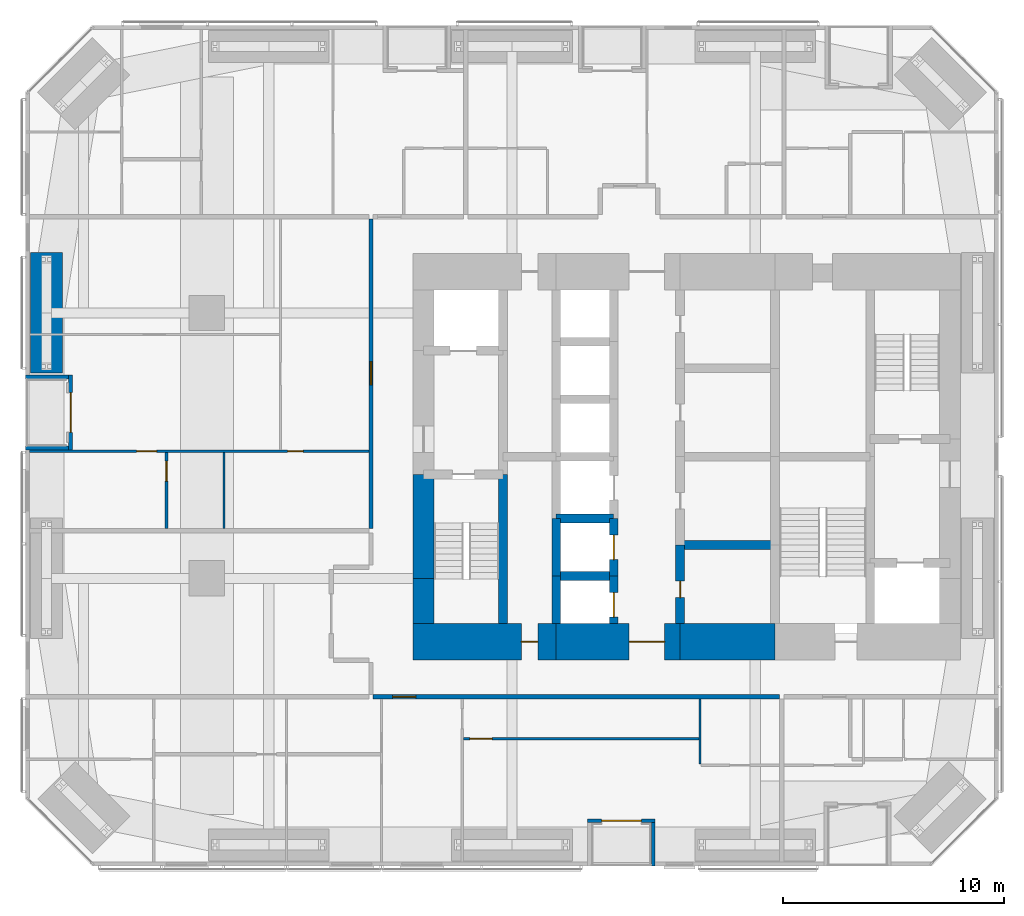
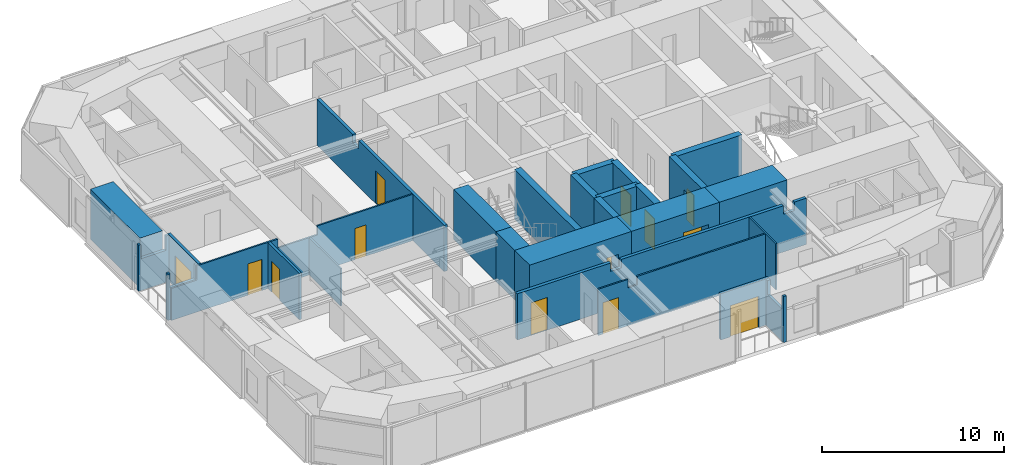
# One storey, part 18 of 24: 27 walls, 13 doors, 13 openings.
"""IFC4 building model written with IfcOpenShell, lengths in metres."""

from ifc_helpers import new_model, si_unit, direction, frame, frame_2d, origin, place, context, subcontext, project, spatial, polyline, rectangle, outline, extrude, material, layer, layer_set, constituent, constituent_set, type_object, element, fill, save


model = new_model("IFC4")

# Units and contexts
model_context = context("Model", 3, precision=1e-05, world=origin(), true_north=direction((0.0, 1.0)))
body_context = subcontext(model_context, "Body", "Model", "MODEL_VIEW")
ifc_project = project(units=[si_unit("LENGTHUNIT", "METRE"), si_unit("AREAUNIT", "SQUARE_METRE"), si_unit("VOLUMEUNIT", "CUBIC_METRE"), si_unit("PLANEANGLEUNIT", "RADIAN"), si_unit("MASSUNIT", "GRAM", prefix="KILO")], contexts=[model_context])

# Site, building, storey
site_placement = place(None, origin())
site = spatial("IfcSite", under=ifc_project, at=site_placement, CompositionType="ELEMENT")
building_placement = place(site_placement, origin())
building = spatial("IfcBuilding", under=site, at=building_placement, Name="Jalousie Tower", CompositionType="ELEMENT")
storey_placement = place(building_placement, frame((0.0, 0.0, 44.449951171875)))
storey = spatial("IfcBuildingStorey", under=building, at=storey_placement, Name="L11", CompositionType="ELEMENT", Elevation=44.449951171875)

# Wall, opening, door
ifc_material_1 = material(Name="Concrete block ASTM C90", Category="concrete")
ifc_constituent_1 = constituent(ifc_material_1, Name="Body")
ifc_material_2 = material(Name="Render")
ifc_constituent_2 = constituent(ifc_material_2, Name="Finish")
ifc_constituent_set_1 = constituent_set(constituents=[ifc_constituent_1, ifc_constituent_2])
wall_type_1 = type_object("IfcWallType", Name="BATHROOM WALL 150", PredefinedType="PLUMBINGWALL", material=ifc_constituent_set_1)
wall_1_placement = place(storey_placement, frame((8.375, 15.25, 0.0), z_axis=(0.0, 0.0, 1.0), x_axis=(0.0, 1.0, 0.0)))
wall_1 = element("IfcWall", 1, at=wall_1_placement, inside=storey, type_object=wall_type_1, Name="Bathroom Wall 150 L11", PredefinedType="PLUMBINGWALL", context=body_context, shape_type="SweptSolid", body=[
    extrude(rectangle(XDim=3.449951171875, YDim=0.14990234375, at=frame_2d((1.72509765625, 0.0))), origin(), (0.0, 0.0, 1.0), 3.110107421875),
])
opening_1_placement = place(wall_1_placement, frame((2.14990234375, 0.0, 0.0)))
opening_1 = element("IfcOpeningElement", 2, at=opening_1_placement, cuts=wall_1, Name="Opening D3", PredefinedType="OPENING", context=body_context, shape_type="SweptSolid", body=[
    extrude(rectangle(XDim=0.89990234375, YDim=2.10009765625, at=frame_2d((0.449951171875, 1.050048828125))), frame((0.0, 0.0849609375, 0.0), z_axis=(0.0, -1.0, 0.0), x_axis=(1.0, 0.0, 0.0)), (0.0, 0.0, 1.0), 0.169921875),
])
ifc_material_3 = material(Name="Timber door", Category="wood")
door_type_1 = type_object("IfcDoorType", Name="BATHROOM DOOR 900", OperationType="SINGLE_SWING_LEFT", PredefinedType="DOOR", material=ifc_material_3)
door_1_placement = place(opening_1_placement, frame((0.89990234375, 0.0, 0.0), z_axis=(0.0, 0.0, 1.0), x_axis=(-1.0, 0.0, 0.0)))
door_1 = element("IfcDoor", 3, at=door_1_placement, inside=storey, type_object=door_type_1, Name="Apartment 1106 bedroom 1 bathroom door", OperationType="SINGLE_SWING_LEFT", OverallHeight=2.10009765625, OverallWidth=0.89990234375, PredefinedType="DOOR", context=body_context, shape_type="SweptSolid", body=[
    extrude(rectangle(XDim=0.89990234375, YDim=2.10009765625, at=frame_2d((0.449951171875, 1.050048828125))), frame((0.0, 0.02490234375, 0.0), z_axis=(0.0, -1.0, 0.0), x_axis=(1.0, 0.0, 0.0)), (0.0, 0.0, 1.0), 0.050048828125),
])
fill(opening_1, door_1)

ifc_material_4 = material(Name="Concrete f'c 120 MPa", Category="concrete")
ifc_layer_1 = layer(ifc_material_4, 1.64990234375)
ifc_layer_set_1 = layer_set([ifc_layer_1], Name="Concrete f'c 120 MPa")
wall_type_2 = type_object("IfcWallType", Name="CORE WALL 1650", PredefinedType="SHEAR", material=ifc_layer_set_1)
wall_2_placement = place(storey_placement, frame((19.52490234375, 10.125, 0.0), z_axis=(0.0, 0.0, 1.0), x_axis=(1.0, 0.0, 0.0)))
wall_2 = element("IfcWall", 4, at=wall_2_placement, inside=storey, type_object=wall_type_2, Name="Core wall SA L11", PredefinedType="SHEAR", context=body_context, shape_type="SweptSolid", body=[
    extrude(rectangle(XDim=6.47509765625, YDim=1.64990234375, at=frame_2d((3.237548828125, 0.0))), origin(), (0.0, 0.0, 1.0), 3.35009765625),
])
opening_2_placement = place(wall_2_placement, frame((4.89990234375, 0.0, 0.0)))
opening_2 = element("IfcOpeningElement", 5, at=opening_2_placement, cuts=wall_2, Name="Opening D16", PredefinedType="OPENING", context=body_context, shape_type="SweptSolid", body=[
    extrude(rectangle(XDim=0.75, YDim=2.10009765625, at=frame_2d((0.375, 1.050048828125))), frame((0.0, 0.8349609375, 0.0), z_axis=(0.0, -1.0, 0.0), x_axis=(1.0, 0.0, 0.0)), (0.0, 0.0, 1.0), 1.669921875),
])
ifc_material_5 = material(Name="Steel fire door", Category="steel")
door_type_2 = type_object("IfcDoorType", Name="RISER DOOR 750", OperationType="SINGLE_SWING_LEFT", PredefinedType="DOOR", material=ifc_material_5)
door_2_placement = place(opening_2_placement, origin())
door_2 = element("IfcDoor", 6, at=door_2_placement, inside=storey, type_object=door_type_2, Name="South riser door", OperationType="SINGLE_SWING_LEFT", OverallHeight=2.10009765625, OverallWidth=0.75, PredefinedType="DOOR", context=body_context, shape_type="SweptSolid", body=[
    extrude(rectangle(XDim=0.75, YDim=2.10009765625, at=frame_2d((0.375, 1.050048828125))), frame((0.0, 0.02490234375, 0.0), z_axis=(0.0, -1.0, 0.0), x_axis=(1.0, 0.0, 0.0)), (0.0, 0.0, 1.0), 0.050048828125),
])
fill(opening_2, door_2)

wall_3_placement = place(storey_placement, frame((26.0, 10.125, 0.0), z_axis=(0.0, 0.0, 1.0), x_axis=(1.0, 0.0, 0.0)))
wall_3 = element("IfcWall", 7, at=wall_3_placement, inside=storey, type_object=wall_type_2, Name="Core wall SB L11", PredefinedType="SHEAR", context=body_context, shape_type="SweptSolid", body=[
    extrude(rectangle(XDim=5.60009765625, YDim=1.64990234375, at=frame_2d((2.800048828125, 0.0))), origin(), (0.0, 0.0, 1.0), 3.35009765625),
])
opening_3_placement = place(wall_3_placement, frame((3.300048828125, 0.0, 0.0)))
opening_3 = element("IfcOpeningElement", 8, at=opening_3_placement, cuts=wall_3, Name="Opening D15", PredefinedType="OPENING", context=body_context, shape_type="SweptSolid", body=[
    extrude(rectangle(XDim=1.60009765625, YDim=2.10009765625, at=frame_2d((0.800048828125, 1.050048828125))), frame((0.0, 0.8349609375, 0.0), z_axis=(0.0, -1.0, 0.0), x_axis=(1.0, 0.0, 0.0)), (0.0, 0.0, 1.0), 1.669921875),
])
ifc_material_6 = material(Name="Steel fire door", Category="steel")
door_type_3 = type_object("IfcDoorType", Name="LIFT LOBBY DOOR 1600", OperationType="DOUBLE_DOOR_SINGLE_SWING", PredefinedType="DOOR", material=ifc_material_6)
door_3_placement = place(opening_3_placement, origin())
door_3 = element("IfcDoor", 9, at=door_3_placement, inside=storey, type_object=door_type_3, Name="Lift lobby south door", OperationType="DOUBLE_DOOR_SINGLE_SWING", OverallHeight=2.10009765625, OverallWidth=1.60009765625, PredefinedType="DOOR", context=body_context, shape_type="SweptSolid", body=[
    extrude(rectangle(XDim=1.60009765625, YDim=2.10009765625, at=frame_2d((0.800048828125, 1.050048828125))), frame((0.0, 0.02490234375, 0.0), z_axis=(0.0, -1.0, 0.0), x_axis=(1.0, 0.0, 0.0)), (0.0, 0.0, 1.0), 0.050048828125),
])
fill(opening_3, door_3)

# Walls
wall_4_placement = place(storey_placement, frame((31.60009765625, 10.125, 0.0), z_axis=(0.0, 0.0, 1.0), x_axis=(1.0, 0.0, 0.0)))
element("IfcWall", 10, at=wall_4_placement, inside=storey, type_object=wall_type_2, Name="Core wall SC L11", PredefinedType="SHEAR", context=body_context, shape_type="SweptSolid", body=[
    extrude(rectangle(XDim=4.2998046875, YDim=1.64990234375, at=frame_2d((2.14990234375, 0.0))), origin(), (0.0, 0.0, 1.0), 3.35009765625),
])
ifc_material_7 = material(Name="Concrete f'c 120 MPa", Category="concrete")
ifc_layer_2 = layer(ifc_material_7, 0.39990234375)
ifc_layer_set_2 = layer_set([ifc_layer_2], Name="Concrete f'c 120 MPa")
wall_type_3 = type_object("IfcWallType", Name="CORE WALL 400", PredefinedType="SHEAR", material=ifc_layer_set_2)
wall_5_placement = place(storey_placement, frame((23.60009765625, 10.949951171875, 0.0), z_axis=(0.0, 0.0, 1.0), x_axis=(0.0, 1.0, 0.0)))
element("IfcWall", 11, at=wall_5_placement, inside=storey, type_object=wall_type_3, Name="Core wall X23.6A L11", PredefinedType="SHEAR", context=body_context, shape_type="SweptSolid", body=[
    extrude(rectangle(XDim=6.75, YDim=0.39990234375, at=frame_2d((3.375, 0.0))), origin(), (0.0, 0.0, 1.0), 3.35009765625),
])
wall_6_placement = place(storey_placement, frame((26.0, 10.949951171875, 0.0), z_axis=(0.0, 0.0, 1.0), x_axis=(0.0, 1.0, 0.0)))
element("IfcWall", 12, at=wall_6_placement, inside=storey, type_object=wall_type_3, Name="Core wall X26A L11", PredefinedType="SHEAR", context=body_context, shape_type="SweptSolid", body=[
    extrude(rectangle(XDim=2.150146484375, YDim=0.39990234375, at=frame_2d((1.0751953125, 0.0))), origin(), (0.0, 0.0, 1.0), 3.35009765625),
])
wall_7_placement = place(storey_placement, frame((26.0, 13.10009765625, 0.0), z_axis=(0.0, 0.0, 1.0), x_axis=(0.0, 1.0, 0.0)))
element("IfcWall", 13, at=wall_7_placement, inside=storey, type_object=wall_type_3, Name="Core wall X26B L11", PredefinedType="SHEAR", context=body_context, shape_type="SweptSolid", body=[
    extrude(rectangle(XDim=2.599853515625, YDim=0.39990234375, at=frame_2d((1.2998046875, 0.0))), origin(), (0.0, 0.0, 1.0), 3.35009765625),
])

# Wall, opening, door
wall_8_placement = place(storey_placement, frame((28.60009765625, 10.949951171875, 0.0), z_axis=(0.0, 0.0, 1.0), x_axis=(0.0, 1.0, 0.0)))
wall_8 = element("IfcWall", 14, at=wall_8_placement, inside=storey, type_object=wall_type_3, Name="Core wall X28.6A L11", PredefinedType="SHEAR", context=body_context, shape_type="SweptSolid", body=[
    extrude(rectangle(XDim=2.150146484375, YDim=0.39990234375, at=frame_2d((1.0751953125, 0.0))), origin(), (0.0, 0.0, 1.0), 3.35009765625),
])
opening_4_placement = place(wall_8_placement, frame((0.300048828125, 0.0, 0.0)))
opening_4 = element("IfcOpeningElement", 15, at=opening_4_placement, cuts=wall_8, Name="Opening LD1", PredefinedType="OPENING", context=body_context, shape_type="SweptSolid", body=[
    extrude(rectangle(XDim=1.10009765625, YDim=2.10009765625, at=frame_2d((0.550048828125, 1.050048828125))), frame((0.0, 0.2099609375, 0.0), z_axis=(0.0, -1.0, 0.0), x_axis=(1.0, 0.0, 0.0)), (0.0, 0.0, 1.0), 0.419921875),
])
ifc_material_8 = material(Name="Steel lift landing door", Category="steel")
door_type_4 = type_object("IfcDoorType", Name="LIFT LANDING DOOR 1100", OperationType="SLIDING_TO_LEFT", PredefinedType="DOOR", material=ifc_material_8)
door_4_placement = place(opening_4_placement, origin())
door_4 = element("IfcDoor", 16, at=door_4_placement, inside=storey, type_object=door_type_4, Name="Lift P1 landing door", OperationType="SLIDING_TO_LEFT", OverallHeight=2.10009765625, OverallWidth=1.10009765625, PredefinedType="DOOR", context=body_context, shape_type="SweptSolid", body=[
    extrude(rectangle(XDim=1.10009765625, YDim=2.10009765625, at=frame_2d((0.550048828125, 1.050048828125))), frame((0.0, 0.02490234375, 0.0), z_axis=(0.0, -1.0, 0.0), x_axis=(1.0, 0.0, 0.0)), (0.0, 0.0, 1.0), 0.050048828125),
])
fill(opening_4, door_4)

wall_9_placement = place(storey_placement, frame((28.60009765625, 13.10009765625, 0.0), z_axis=(0.0, 0.0, 1.0), x_axis=(0.0, 1.0, 0.0)))
wall_9 = element("IfcWall", 17, at=wall_9_placement, inside=storey, type_object=wall_type_3, Name="Core wall X28.6B L11", PredefinedType="SHEAR", context=body_context, shape_type="SweptSolid", body=[
    extrude(rectangle(XDim=2.599853515625, YDim=0.39990234375, at=frame_2d((1.2998046875, 0.0))), origin(), (0.0, 0.0, 1.0), 3.35009765625),
])
opening_5_placement = place(wall_9_placement, frame((0.75, 0.0, 0.0)))
opening_5 = element("IfcOpeningElement", 18, at=opening_5_placement, cuts=wall_9, Name="Opening LD1", PredefinedType="OPENING", context=body_context, shape_type="SweptSolid", body=[
    extrude(rectangle(XDim=1.10009765625, YDim=2.10009765625, at=frame_2d((0.550048828125, 1.050048828125))), frame((0.0, 0.2099609375, 0.0), z_axis=(0.0, -1.0, 0.0), x_axis=(1.0, 0.0, 0.0)), (0.0, 0.0, 1.0), 0.419921875),
])
door_5_placement = place(opening_5_placement, origin())
door_5 = element("IfcDoor", 19, at=door_5_placement, inside=storey, type_object=door_type_4, Name="Lift P2 landing door", OperationType="SLIDING_TO_LEFT", OverallHeight=2.10009765625, OverallWidth=1.10009765625, PredefinedType="DOOR", context=body_context, shape_type="SweptSolid", body=[
    extrude(rectangle(XDim=1.10009765625, YDim=2.10009765625, at=frame_2d((0.550048828125, 1.050048828125))), frame((0.0, 0.02490234375, 0.0), z_axis=(0.0, -1.0, 0.0), x_axis=(1.0, 0.0, 0.0)), (0.0, 0.0, 1.0), 0.050048828125),
])
fill(opening_5, door_5)

wall_10_placement = place(storey_placement, frame((31.60009765625, 10.949951171875, 0.0), z_axis=(0.0, 0.0, 1.0), x_axis=(0.0, 1.0, 0.0)))
wall_10 = element("IfcWall", 20, at=wall_10_placement, inside=storey, type_object=wall_type_3, Name="Core wall X31.6A L11", PredefinedType="SHEAR", context=body_context, shape_type="SweptSolid", body=[
    extrude(rectangle(XDim=3.550048828125, YDim=0.39990234375, at=frame_2d((1.77490234375, 0.0))), origin(), (0.0, 0.0, 1.0), 3.35009765625),
])
opening_6_placement = place(wall_10_placement, frame((1.175048828125, 0.0, 0.0)))
opening_6 = element("IfcOpeningElement", 21, at=opening_6_placement, cuts=wall_10, Name="Opening D16", PredefinedType="OPENING", context=body_context, shape_type="SweptSolid", body=[
    extrude(rectangle(XDim=0.75, YDim=2.10009765625, at=frame_2d((0.375, 1.050048828125))), frame((0.0, 0.2099609375, 0.0), z_axis=(0.0, -1.0, 0.0), x_axis=(1.0, 0.0, 0.0)), (0.0, 0.0, 1.0), 0.419921875),
])
door_6_placement = place(opening_6_placement, frame((0.75, 0.0, 0.0), z_axis=(0.0, 0.0, 1.0), x_axis=(-1.0, 0.0, 0.0)))
door_6 = element("IfcDoor", 22, at=door_6_placement, inside=storey, type_object=door_type_2, Name="Refuse Room door", OperationType="SINGLE_SWING_RIGHT", OverallHeight=2.10009765625, OverallWidth=0.75, PredefinedType="DOOR", context=body_context, shape_type="SweptSolid", body=[
    extrude(rectangle(XDim=0.75, YDim=2.10009765625, at=frame_2d((0.375, 1.050048828125))), frame((0.0, 0.02490234375, 0.0), z_axis=(0.0, -1.0, 0.0), x_axis=(1.0, 0.0, 0.0)), (0.0, 0.0, 1.0), 0.050048828125),
])
fill(opening_6, door_6)

# Walls
for number, where, z_axis, x_axis, name in (
    (23, (26.0, 13.10009765625, 0.0), (0.0, 0.0, 1.0), (1.0, 0.0, 0.0), "Core wall Y26-13.1 L11"),
    (24, (26.0, 15.699951171875, 0.0), (0.0, 0.0, 1.0), (1.0, 0.0, 0.0), "Core wall Y26-15.7 L11"),
):
    element("IfcWall", number, at=place(storey_placement, frame(where, z_axis=z_axis, x_axis=x_axis)), inside=storey, type_object=wall_type_3, Name=name, PredefinedType="SHEAR", context=body_context, shape_type="SweptSolid", body=[
        extrude(rectangle(XDim=2.60009765625, YDim=0.39990234375, at=frame_2d((1.300048828125, 0.0))), origin(), (0.0, 0.0, 1.0), 3.35009765625),
    ])
wall_11_placement = place(storey_placement, frame((31.60009765625, 14.5, 0.0), z_axis=(0.0, 0.0, 1.0), x_axis=(1.0, 0.0, 0.0)))
element("IfcWall", 25, at=wall_11_placement, inside=storey, type_object=wall_type_3, Name="Core wall Y31.6-14.5 L11", PredefinedType="SHEAR", context=body_context, shape_type="SweptSolid", body=[
    extrude(rectangle(XDim=4.2998046875, YDim=0.39990234375, at=frame_2d((2.14990234375, 0.0))), origin(), (0.0, 0.0, 1.0), 3.35009765625),
])
ifc_material_9 = material(Name="Concrete f'c 120 MPa", Category="concrete")
ifc_layer_3 = layer(ifc_material_9, 0.949951171875)
ifc_layer_set_3 = layer_set([ifc_layer_3], Name="Concrete f'c 120 MPa")
wall_type_4 = type_object("IfcWallType", Name="CORE WALL 950", PredefinedType="SHEAR", material=ifc_layer_set_3)
wall_12_placement = place(storey_placement, frame((20.0, 17.699951171875, 0.0), z_axis=(0.0, 0.0, 1.0), x_axis=(0.0, -1.0, 0.0)))
element("IfcWall", 26, at=wall_12_placement, inside=storey, type_object=wall_type_4, Name="Core wall WC L11", PredefinedType="SHEAR", context=body_context, shape_type="SweptSolid", body=[
    extrude(rectangle(XDim=4.699951171875, YDim=0.949951171875, at=frame_2d((2.35009765625, 0.0))), origin(), (0.0, 0.0, 1.0), 3.35009765625),
])
wall_13_placement = place(storey_placement, frame((20.0, 13.0, 0.0), z_axis=(0.0, 0.0, 1.0), x_axis=(0.0, -1.0, 0.0)))
element("IfcWall", 27, at=wall_13_placement, inside=storey, type_object=wall_type_4, Name="Core wall WD L11", PredefinedType="SHEAR", context=body_context, shape_type="SweptSolid", body=[
    extrude(rectangle(XDim=2.050048828125, YDim=0.949951171875, at=frame_2d((1.02490234375, 0.0))), origin(), (0.0, 0.0, 1.0), 3.35009765625),
])

# Wall, opening, door
ifc_material_10 = material(Name="Concrete block ASTM C90", Category="concrete")
ifc_constituent_3 = constituent(ifc_material_10, Name="Body")
ifc_material_11 = material(Name="Render")
ifc_constituent_4 = constituent(ifc_material_11, Name="Finish")
ifc_constituent_set_2 = constituent_set(constituents=[ifc_constituent_3, ifc_constituent_4])
wall_type_5 = type_object("IfcWallType", Name="CORRIDOR WALL 200", PredefinedType="PARTITIONING", material=ifc_constituent_set_2)
wall_14_placement = place(storey_placement, frame((17.72509765625, 7.64990234375, 0.0), z_axis=(0.0, 0.0, 1.0), x_axis=(1.0, 0.0, 0.0)))
wall_14 = element("IfcWall", 28, at=wall_14_placement, inside=storey, type_object=wall_type_5, Name="Corridor Wall 200 L11", PredefinedType="PARTITIONING", context=body_context, shape_type="SweptSolid", body=[
    extrude(outline(polyline([(0.0, 0.0), (18.375, 0.0), (18.375, 3.110107421875), (17.6123046875, 3.110107421875), (17.6123046875, 2.541015625), (16.9375, 2.541015625), (16.9375, 3.110107421875), (6.6123046875, 3.110107421875), (6.6123046875, 2.541015625), (5.9375, 2.541015625), (5.9375, 3.110107421875), (0.0, 3.110107421875), (0.0, 0.0)])), frame((0.0, 0.10009765625, 0.0), z_axis=(0.0, -1.0, 0.0), x_axis=(1.0, 0.0, 0.0)), (0.0, 0.0, 1.0), 0.199951171875),
])
opening_7_placement = place(wall_14_placement, frame((0.875, 0.0, 0.0)))
opening_7 = element("IfcOpeningElement", 29, at=opening_7_placement, cuts=wall_14, Name="Opening D1", PredefinedType="OPENING", context=body_context, shape_type="SweptSolid", body=[
    extrude(rectangle(XDim=1.050048828125, YDim=2.199951171875, at=frame_2d((0.52490234375, 1.10009765625))), frame((0.0, 0.10986328125, 0.0), z_axis=(0.0, -1.0, 0.0), x_axis=(1.0, 0.0, 0.0)), (0.0, 0.0, 1.0), 0.219970703125),
])
ifc_material_12 = material(Name="Timber fire door", Category="wood")
door_type_5 = type_object("IfcDoorType", Name="APARTMENT ENTRANCE DOOR 1050", OperationType="SINGLE_SWING_LEFT", PredefinedType="DOOR", material=ifc_material_12)
door_7_placement = place(opening_7_placement, frame((1.050048828125, 0.0, 0.0), z_axis=(0.0, 0.0, 1.0), x_axis=(-1.0, 0.0, 0.0)))
door_7 = element("IfcDoor", 30, at=door_7_placement, inside=storey, type_object=door_type_5, Name="Apartment 1101 entrance", OperationType="SINGLE_SWING_RIGHT", OverallHeight=2.199951171875, OverallWidth=1.050048828125, PredefinedType="DOOR", context=body_context, shape_type="SweptSolid", body=[
    extrude(rectangle(XDim=1.050048828125, YDim=2.199951171875, at=frame_2d((0.52490234375, 1.10009765625))), frame((0.0, 0.02490234375, 0.0), z_axis=(0.0, -1.0, 0.0), x_axis=(1.0, 0.0, 0.0)), (0.0, 0.0, 1.0), 0.050048828125),
])
fill(opening_7, door_7)

wall_15_placement = place(storey_placement, frame((17.625, 15.25, 0.0), z_axis=(0.0, 0.0, 1.0), x_axis=(0.0, 1.0, 0.0)))
wall_15 = element("IfcWall", 31, at=wall_15_placement, inside=storey, type_object=wall_type_5, Name="Corridor Wall 200 L11", PredefinedType="PARTITIONING", context=body_context, shape_type="SweptSolid", body=[
    extrude(outline(polyline([(0.0, 0.0), (14.0, 0.0), (14.0, 3.110107421875), (10.08740234375, 3.110107421875), (10.08740234375, 2.541015625), (9.41259765625, 2.541015625), (9.41259765625, 3.110107421875), (0.0, 3.110107421875), (0.0, 0.0)])), frame((0.0, 0.10009765625, 0.0), z_axis=(0.0, -1.0, 0.0), x_axis=(1.0, 0.0, 0.0)), (0.0, 0.0, 1.0), 0.199951171875),
])
opening_8_placement = place(wall_15_placement, frame((6.5, 0.0, 0.0)))
opening_8 = element("IfcOpeningElement", 32, at=opening_8_placement, cuts=wall_15, Name="Opening D1", PredefinedType="OPENING", context=body_context, shape_type="SweptSolid", body=[
    extrude(rectangle(XDim=1.050048828125, YDim=2.199951171875, at=frame_2d((0.52490234375, 1.10009765625))), frame((0.0, 0.10986328125, 0.0), z_axis=(0.0, -1.0, 0.0), x_axis=(1.0, 0.0, 0.0)), (0.0, 0.0, 1.0), 0.219970703125),
])
door_8_placement = place(opening_8_placement, origin())
door_8 = element("IfcDoor", 33, at=door_8_placement, inside=storey, type_object=door_type_5, Name="Apartment 1106 entrance", OperationType="SINGLE_SWING_LEFT", OverallHeight=2.199951171875, OverallWidth=1.050048828125, PredefinedType="DOOR", context=body_context, shape_type="SweptSolid", body=[
    extrude(rectangle(XDim=1.050048828125, YDim=2.199951171875, at=frame_2d((0.52490234375, 1.10009765625))), frame((0.0, 0.02490234375, 0.0), z_axis=(0.0, -1.0, 0.0), x_axis=(1.0, 0.0, 0.0)), (0.0, 0.0, 1.0), 0.050048828125),
])
fill(opening_8, door_8)

ifc_material_13 = material(Name="Concrete f'c 40 MPa", Category="concrete")
ifc_constituent_5 = constituent(ifc_material_13, Name="Body")
ifc_material_14 = material(Name="Render, pastel coral")
ifc_constituent_6 = constituent(ifc_material_14, Name="Finish")
ifc_constituent_set_3 = constituent_set(constituents=[ifc_constituent_5, ifc_constituent_6])
wall_type_6 = type_object("IfcWallType", Name="EXTERNAL WALL 175 CORAL RENDER", PredefinedType="SOLIDWALL", material=ifc_constituent_set_3)
wall_16_placement = place(storey_placement, frame((27.425048828125, 2.03759765625, 0.0), z_axis=(0.0, 0.0, 1.0), x_axis=(1.0, 0.0, 0.0)))
wall_16 = element("IfcWall", 34, at=wall_16_placement, inside=storey, type_object=wall_type_6, Name="External Wall 175 Coral Render L11", PredefinedType="SOLIDWALL", context=body_context, shape_type="SweptSolid", body=[
    extrude(rectangle(XDim=3.050048828125, YDim=0.175048828125, at=frame_2d((1.52490234375, 0.0))), origin(), (0.0, 0.0, 1.0), 3.110107421875),
])
opening_9_placement = place(wall_16_placement, frame((0.625, 0.0, 0.0)))
opening_9 = element("IfcOpeningElement", 35, at=opening_9_placement, cuts=wall_16, Name="Opening D-BAL21", PredefinedType="OPENING", context=body_context, shape_type="SweptSolid", body=[
    extrude(rectangle(XDim=1.800048828125, YDim=2.10009765625, at=frame_2d((0.89990234375, 1.050048828125))), frame((0.0, 0.097412109375, 0.0), z_axis=(0.0, -1.0, 0.0), x_axis=(1.0, 0.0, 0.0)), (0.0, 0.0, 1.0), 0.195068359375),
])
ifc_material_15 = material(Name="Aluminium frame, impact-rated glazing", Category="aluminium")
door_type_6 = type_object("IfcDoorType", Name="BALCONY DOOR 1800x2100", OperationType="SLIDING_TO_LEFT", PredefinedType="DOOR", material=ifc_material_15)
door_9_placement = place(opening_9_placement, origin())
door_9 = element("IfcDoor", 36, at=door_9_placement, inside=storey, type_object=door_type_6, Name="Apartment 1101 living and dining room loggia door", OperationType="SLIDING_TO_LEFT", OverallHeight=2.10009765625, OverallWidth=1.800048828125, PredefinedType="DOOR", context=body_context, shape_type="SweptSolid", body=[
    extrude(rectangle(XDim=1.800048828125, YDim=2.10009765625, at=frame_2d((0.89990234375, 1.050048828125))), frame((0.0, 0.02490234375, 0.0), z_axis=(0.0, -1.0, 0.0), x_axis=(1.0, 0.0, 0.0)), (0.0, 0.0, 1.0), 0.050048828125),
])
fill(opening_9, door_9)

# Wall
wall_17_placement = place(storey_placement, frame((30.387451171875, 0.0, 0.0), z_axis=(0.0, 0.0, 1.0), x_axis=(0.0, 1.0, 0.0)))
element("IfcWall", 37, at=wall_17_placement, inside=storey, type_object=wall_type_6, Name="External Wall 175 Coral Render L11", PredefinedType="SOLIDWALL", context=body_context, shape_type="SweptSolid", body=[
    extrude(outline(polyline([(0.0, 0.0), (1.949951171875, 0.0), (1.949951171875, 3.110107421875), (1.75, 3.110107421875), (1.75, 2.150146484375), (0.14990234375, 2.150146484375), (0.14990234375, 3.110107421875), (0.0, 3.110107421875), (0.0, 0.0)])), frame((0.0, 0.08740234375, 0.0), z_axis=(0.0, -1.0, 0.0), x_axis=(1.0, 0.0, 0.0)), (0.0, 0.0, 1.0), 0.175048828125),
])

# Wall, opening, door
wall_18_placement = place(storey_placement, frame((4.03759765625, 22.199951171875, 0.0), z_axis=(0.0, 0.0, 1.0), x_axis=(0.0, -1.0, 0.0)))
wall_18 = element("IfcWall", 38, at=wall_18_placement, inside=storey, type_object=wall_type_6, Name="External Wall 175 Coral Render L11", PredefinedType="SOLIDWALL", context=body_context, shape_type="SweptSolid", body=[
    extrude(rectangle(XDim=3.39990234375, YDim=0.175048828125, at=frame_2d((1.699951171875, 0.0))), origin(), (0.0, 0.0, 1.0), 3.110107421875),
])
opening_10_placement = place(wall_18_placement, frame((0.800048828125, 0.0, 0.0)))
opening_10 = element("IfcOpeningElement", 39, at=opening_10_placement, cuts=wall_18, Name="Opening D-BAL21", PredefinedType="OPENING", context=body_context, shape_type="SweptSolid", body=[
    extrude(rectangle(XDim=1.800048828125, YDim=2.10009765625, at=frame_2d((0.89990234375, 1.050048828125))), frame((0.0, 0.097412109375, 0.0), z_axis=(0.0, -1.0, 0.0), x_axis=(1.0, 0.0, 0.0)), (0.0, 0.0, 1.0), 0.195068359375),
])
door_10_placement = place(opening_10_placement, origin())
door_10 = element("IfcDoor", 40, at=door_10_placement, inside=storey, type_object=door_type_6, Name="Apartment 1106 living room loggia door", OperationType="SLIDING_TO_LEFT", OverallHeight=2.10009765625, OverallWidth=1.800048828125, PredefinedType="DOOR", context=body_context, shape_type="SweptSolid", body=[
    extrude(rectangle(XDim=1.800048828125, YDim=2.10009765625, at=frame_2d((0.89990234375, 1.050048828125))), frame((0.0, 0.02490234375, 0.0), z_axis=(0.0, -1.0, 0.0), x_axis=(1.0, 0.0, 0.0)), (0.0, 0.0, 1.0), 0.050048828125),
])
fill(opening_10, door_10)

# Walls
for number, where, z_axis, x_axis, name in (
    (41, (2.0, 22.112548828125, 0.0), (0.0, 0.0, 1.0), (1.0, 0.0, 0.0), "External Wall 175 Coral Render L11"),
    (42, (2.0, 18.887451171875, 0.0), (0.0, 0.0, 1.0), (1.0, 0.0, 0.0), "External Wall 175 Coral Render L11"),
):
    element("IfcWall", number, at=place(storey_placement, frame(where, z_axis=z_axis, x_axis=x_axis)), inside=storey, type_object=wall_type_6, Name=name, PredefinedType="SOLIDWALL", context=body_context, shape_type="SweptSolid", body=[
        extrude(outline(polyline([(0.0, 0.0), (1.949951171875, 0.0), (1.949951171875, 3.110107421875), (1.75, 3.110107421875), (1.75, 2.150146484375), (0.14990234375, 2.150146484375), (0.14990234375, 3.110107421875), (0.0, 3.110107421875), (0.0, 0.0)])), frame((0.0, 0.08740234375, 0.0), z_axis=(0.0, -1.0, 0.0), x_axis=(1.0, 0.0, 0.0)), (0.0, 0.0, 1.0), 0.175048828125),
    ])
ifc_material_16 = material(Name="Gypsum board", Category="gypsum")
ifc_constituent_7 = constituent(ifc_material_16, Name="Body")
ifc_material_17 = material(Name="Light-gauge steel studs ASTM A653 SS Grade 33", Category="steel")
ifc_constituent_8 = constituent(ifc_material_17, Name="Framing")
ifc_constituent_set_4 = constituent_set(constituents=[ifc_constituent_7, ifc_constituent_8])
wall_type_7 = type_object("IfcWallType", Name="PARTITION 100", PredefinedType="PARTITIONING", material=ifc_constituent_set_4)
wall_19_placement = place(storey_placement, frame((32.5, 4.60009765625, 0.0), z_axis=(0.0, 0.0, 1.0), x_axis=(0.0, 1.0, 0.0)))
element("IfcWall", 43, at=wall_19_placement, inside=storey, type_object=wall_type_7, Name="Partition 100 L11", PredefinedType="PARTITIONING", context=body_context, shape_type="SweptSolid", body=[
    extrude(rectangle(XDim=2.949951171875, YDim=0.10009765625, at=frame_2d((1.47509765625, 0.0))), origin(), (0.0, 0.0, 1.0), 3.110107421875),
])

# Wall, opening, door
wall_20_placement = place(storey_placement, frame((21.800048828125, 5.75, 0.0), z_axis=(0.0, 0.0, 1.0), x_axis=(1.0, 0.0, 0.0)))
wall_20 = element("IfcWall", 44, at=wall_20_placement, inside=storey, type_object=wall_type_7, Name="Partition 100 L11", PredefinedType="PARTITIONING", context=body_context, shape_type="SweptSolid", body=[
    extrude(outline(polyline([(0.0, 0.0), (10.64990234375, 0.0), (10.64990234375, 3.110107421875), (2.4873046875, 3.110107421875), (2.4873046875, 2.541015625), (1.91259765625, 2.541015625), (1.91259765625, 3.110107421875), (0.0, 3.110107421875), (0.0, 0.0)])), frame((0.0, 0.050048828125, 0.0), z_axis=(0.0, -1.0, 0.0), x_axis=(1.0, 0.0, 0.0)), (0.0, 0.0, 1.0), 0.10009765625),
])
opening_11_placement = place(wall_20_placement, frame((0.300048828125, 0.0, 0.0)))
opening_11 = element("IfcOpeningElement", 45, at=opening_11_placement, cuts=wall_20, Name="Opening D6", PredefinedType="OPENING", context=body_context, shape_type="SweptSolid", body=[
    extrude(rectangle(XDim=1.0, YDim=2.10009765625, at=frame_2d((0.5, 1.050048828125))), frame((0.0, 0.06005859375, 0.0), z_axis=(0.0, -1.0, 0.0), x_axis=(1.0, 0.0, 0.0)), (0.0, 0.0, 1.0), 0.1201171875),
])
ifc_material_18 = material(Name="Timber door", Category="wood")
door_type_7 = type_object("IfcDoorType", Name="INTERNAL DOOR 1000", OperationType="SINGLE_SWING_LEFT", PredefinedType="DOOR", material=ifc_material_18)
door_11_placement = place(opening_11_placement, frame((1.0, 0.0, 0.0), z_axis=(0.0, 0.0, 1.0), x_axis=(-1.0, 0.0, 0.0)))
door_11 = element("IfcDoor", 46, at=door_11_placement, inside=storey, type_object=door_type_7, Name="Apartment 1101 hall door", OperationType="SINGLE_SWING_RIGHT", OverallHeight=2.10009765625, OverallWidth=1.0, PredefinedType="DOOR", context=body_context, shape_type="SweptSolid", body=[
    extrude(rectangle(XDim=1.0, YDim=2.10009765625, at=frame_2d((0.5, 1.050048828125))), frame((0.0, 0.02490234375, 0.0), z_axis=(0.0, -1.0, 0.0), x_axis=(1.0, 0.0, 0.0)), (0.0, 0.0, 1.0), 0.050048828125),
])
fill(opening_11, door_11)

# Wall, openings, doors
wall_21_placement = place(storey_placement, frame((2.175048828125, 18.75, 0.0), z_axis=(0.0, 0.0, 1.0), x_axis=(1.0, 0.0, 0.0)))
wall_21 = element("IfcWall", 47, at=wall_21_placement, inside=storey, type_object=wall_type_7, Name="Partition 100 L11", PredefinedType="PARTITIONING", context=body_context, shape_type="SweptSolid", body=[
    extrude(outline(polyline([(0.0, 0.0), (15.349853515625, 0.0), (15.35009765625, 3.110107421875), (9.284912109375, 3.110107421875), (9.284912109375, 2.510009765625), (6.764892578125, 2.510009765625), (6.764892578125, 3.110107421875), (1.635009765625, 3.110107421875), (1.635009765625, 2.150146484375), (0.0, 2.150146484375), (0.0, 3.110107421875), (0.0, 0.0)])), frame((0.0, 0.050048828125, 0.0), z_axis=(0.0, -1.0, 0.0), x_axis=(1.0, 0.0, 0.0)), (0.0, 0.0, 1.0), 0.10009765625),
])
opening_12_placement = place(wall_21_placement, frame((4.85009765625, 0.0, 0.0)))
opening_12 = element("IfcOpeningElement", 48, at=opening_12_placement, cuts=wall_21, Name="Opening D2", PredefinedType="OPENING", context=body_context, shape_type="SweptSolid", body=[
    extrude(rectangle(XDim=0.89990234375, YDim=2.10009765625, at=frame_2d((0.449951171875, 1.050048828125))), frame((0.0, 0.06005859375, 0.0), z_axis=(0.0, -1.0, 0.0), x_axis=(1.0, 0.0, 0.0)), (0.0, 0.0, 1.0), 0.1201171875),
])
opening_13_placement = place(wall_21_placement, frame((11.675048828125, 0.0, 0.0)))
opening_13 = element("IfcOpeningElement", 49, at=opening_13_placement, cuts=wall_21, Name="Opening D4", PredefinedType="OPENING", context=body_context, shape_type="SweptSolid", body=[
    extrude(rectangle(XDim=0.699951171875, YDim=2.10009765625, at=frame_2d((0.35009765625, 1.050048828125))), frame((0.0, 0.06005859375, 0.0), z_axis=(0.0, -1.0, 0.0), x_axis=(1.0, 0.0, 0.0)), (0.0, 0.0, 1.0), 0.1201171875),
])
ifc_material_19 = material(Name="Timber door", Category="wood")
door_type_8 = type_object("IfcDoorType", Name="BEDROOM DOOR 900", OperationType="SINGLE_SWING_LEFT", PredefinedType="DOOR", material=ifc_material_19)
door_12_placement = place(opening_12_placement, frame((0.89990234375, 0.0, 0.0), z_axis=(0.0, 0.0, 1.0), x_axis=(-1.0, 0.0, 0.0)))
door_12 = element("IfcDoor", 50, at=door_12_placement, inside=storey, type_object=door_type_8, Name="Apartment 1106 bedroom 1 door", OperationType="SINGLE_SWING_LEFT", OverallHeight=2.10009765625, OverallWidth=0.89990234375, PredefinedType="DOOR", context=body_context, shape_type="SweptSolid", body=[
    extrude(rectangle(XDim=0.89990234375, YDim=2.10009765625, at=frame_2d((0.449951171875, 1.050048828125))), frame((0.0, 0.02490234375, 0.0), z_axis=(0.0, -1.0, 0.0), x_axis=(1.0, 0.0, 0.0)), (0.0, 0.0, 1.0), 0.050048828125),
])
fill(opening_12, door_12)
ifc_material_20 = material(Name="Timber door", Category="wood")
door_type_9 = type_object("IfcDoorType", Name="STORE DOOR 700", OperationType="SINGLE_SWING_LEFT", PredefinedType="DOOR", material=ifc_material_20)
door_13_placement = place(opening_13_placement, frame((0.699951171875, 0.0, 0.0), z_axis=(0.0, 0.0, 1.0), x_axis=(-1.0, 0.0, 0.0)))
door_13 = element("IfcDoor", 51, at=door_13_placement, inside=storey, type_object=door_type_9, Name="Apartment 1106 store door", OperationType="SINGLE_SWING_RIGHT", OverallHeight=2.10009765625, OverallWidth=0.699951171875, PredefinedType="DOOR", context=body_context, shape_type="SweptSolid", body=[
    extrude(rectangle(XDim=0.699951171875, YDim=2.10009765625, at=frame_2d((0.35009765625, 1.050048828125))), frame((0.0, 0.02490234375, 0.0), z_axis=(0.0, -1.0, 0.0), x_axis=(1.0, 0.0, 0.0)), (0.0, 0.0, 1.0), 0.050048828125),
])
fill(opening_13, door_13)

# Walls
wall_22_placement = place(storey_placement, frame((10.97509765625, 15.25, 0.0), z_axis=(0.0, 0.0, 1.0), x_axis=(0.0, 1.0, 0.0)))
element("IfcWall", 52, at=wall_22_placement, inside=storey, type_object=wall_type_7, Name="Partition 100 L11", PredefinedType="PARTITIONING", context=body_context, shape_type="SweptSolid", body=[
    extrude(outline(polyline([(0.0, 0.0), (3.449951171875, 0.0), (3.449951171875, 3.110107421875), (3.449951171875, 2.510009765625), (0.0, 2.510009765625), (0.0, 3.110107421875), (0.0, 0.0)])), frame((0.0, 0.050048828125, 0.0), z_axis=(0.0, -1.0, 0.0), x_axis=(1.0, 0.0, 0.0)), (0.0, 0.0, 1.0), 0.10009765625),
])
ifc_material_21 = material(Name="Concrete f'c 120 MPa", Category="concrete")
ifc_layer_4 = layer(ifc_material_21, 1.449951171875)
ifc_layer_set_4 = layer_set([ifc_layer_4], Name="Concrete f'c 120 MPa")
wall_type_8 = type_object("IfcWallType", Name="RC WALL PIER 1450", PredefinedType="SHEAR", material=ifc_layer_set_4)
wall_23_placement = place(storey_placement, frame((2.949951171875, 22.27490234375, 0.0), z_axis=(0.0, 0.0, 1.0), x_axis=(0.0, 1.0, 0.0)))
element("IfcWall", 53, at=wall_23_placement, inside=storey, type_object=wall_type_8, Name="Wall pier 13 L11", PredefinedType="SHEAR", context=body_context, shape_type="SweptSolid", body=[
    extrude(rectangle(XDim=5.4501953125, YDim=1.449951171875, at=frame_2d((2.72509765625, 0.0))), origin(), (0.0, 0.0, 1.0), 3.35009765625),
])

save(model, "model.ifc")
